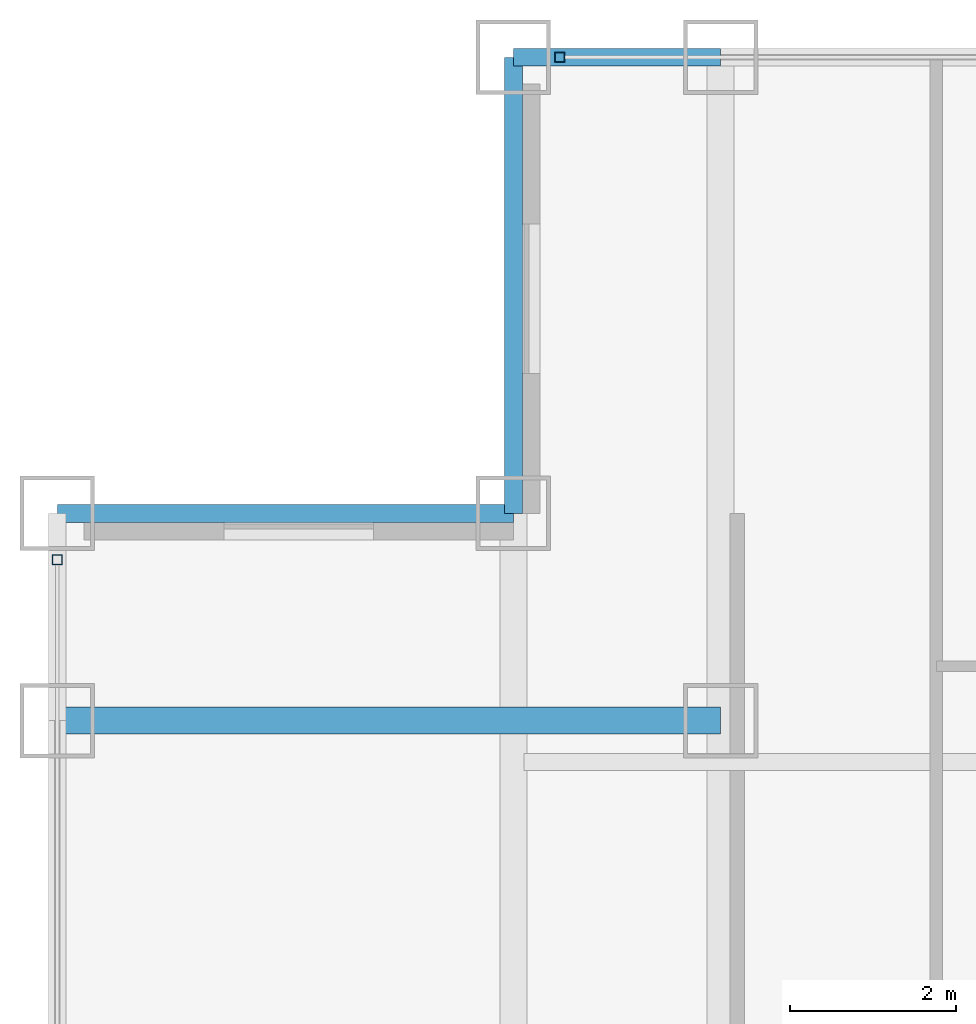
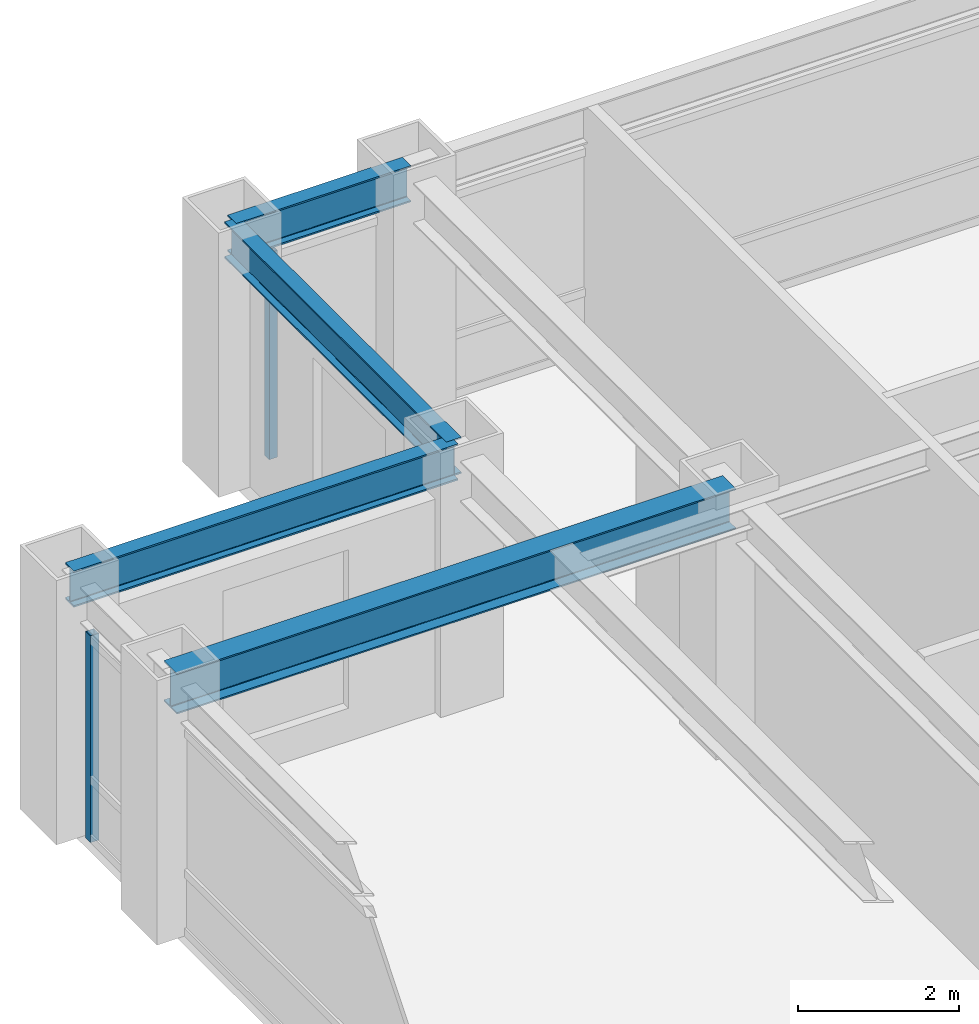
# One storey, part 12 of 22: 4 beams, 2 members, 2 elements without a shape of their own.
"""IFC4 building model written with IfcOpenShell, lengths in metres."""

from ifc_helpers import new_model, si_unit, direction, frame, origin, origin_2d, place, context, subcontext, project, spatial, hollow_rectangle, i_section, extrude, source, transform, mapped, material, material_profile, profile_set, type_object, element, aggregate, save


model = new_model("IFC4")

# Units and contexts
model_context = context("Model", 3, precision=1e-05, world=origin(), true_north=direction((0.0, 1.0)))
body_context = subcontext(model_context, "Body", "Model", "MODEL_VIEW")
ifc_project = project(units=[si_unit("LENGTHUNIT", "METRE"), si_unit("AREAUNIT", "SQUARE_METRE"), si_unit("VOLUMEUNIT", "CUBIC_METRE"), si_unit("PLANEANGLEUNIT", "RADIAN"), si_unit("MASSUNIT", "GRAM", prefix="KILO")], contexts=[model_context])

# Site, building, storey
site_placement = place(None, origin())
site = spatial("IfcSite", under=ifc_project, at=site_placement, CompositionType="ELEMENT")
building_placement = place(site_placement, origin())
building = spatial("IfcBuilding", under=site, at=building_placement, Name="Khorayat Bourse Tower", CompositionType="ELEMENT")
storey_placement = place(building_placement, frame((0.0, 0.0, 305.5)))
storey = spatial("IfcBuildingStorey", under=building, at=storey_placement, Name="L72", CompositionType="ELEMENT", Elevation=305.5)

# Beams
ifc_material_1 = material(Name="Steel ASTM A992 Grade 50", Category="steel")
ifc_material_profile_1 = material_profile(ifc_material_1, i_section(OverallWidth=0.324951171875, OverallDepth=0.615966796875, WebThickness=0.013916015625, FlangeThickness=0.021484375, FilletRadius=0.01611328125, at=origin_2d()), Name="W610X174")
ifc_profile_set_1 = profile_set([ifc_material_profile_1], Name="Steel ASTM A992 Grade 50")
beam_type_1 = type_object("IfcBeamType", Name="BM-GIRD-610", PredefinedType="BEAM", material=ifc_profile_set_1)
shared_shape_1 = source(origin(), body_context, "Body", "SweptSolid", [
    extrude(i_section(OverallWidth=0.324951171875, OverallDepth=0.615966796875, WebThickness=0.013916015625, FlangeThickness=0.021484375, FilletRadius=0.01611328125, at=origin_2d()), origin(), (0.0, 0.0, 1.0), 8.0),
])
beam_1_placement = place(storey_placement, frame((-28.0, 20.0, 3.471923828125), z_axis=(1.0, 0.0, 0.0), x_axis=(0.0, 1.0, 0.0)))
element("IfcBeam", 1, at=beam_1_placement, inside=storey, type_object=beam_type_1, Name="L72 BM-GIRD-610 BM-L72-CNRX-095", PredefinedType="BEAM", context=body_context, shape_type="MappedRepresentation", body=[
    mapped(shared_shape_1, transform((0.0, 0.0, 0.0), scale=1.0)),
])
ifc_material_profile_2 = material_profile(ifc_material_1, i_section(OverallWidth=0.214111328125, OverallDepth=0.549072265625, WebThickness=0.0146484375, FlangeThickness=0.023681640625, FilletRadius=0.013916015625, at=origin_2d()), Name="W530X138")
ifc_profile_set_2 = profile_set([ifc_material_profile_2], Name="Steel ASTM A992 Grade 50")
beam_type_2 = type_object("IfcBeamType", Name="BM-SPAN-530", PredefinedType="SPANDREL", material=ifc_profile_set_2)
shared_shape_2 = source(origin(), body_context, "Body", "SweptSolid", [
    extrude(i_section(OverallWidth=0.214111328125, OverallDepth=0.549072265625, WebThickness=0.0146484375, FlangeThickness=0.023681640625, FilletRadius=0.013916015625, at=origin_2d()), origin(), (0.0, 0.0, 1.0), 2.5),
])
beam_2_placement = place(storey_placement, frame((-22.5, 28.0, 3.505615234375), z_axis=(1.0, 0.0, 0.0), x_axis=(0.0, 1.0, 0.0)))
element("IfcBeam", 2, at=beam_2_placement, inside=storey, type_object=beam_type_2, Name="L72 BM-SPAN-530 BM-L72-SPN-051", PredefinedType="SPANDREL", context=body_context, shape_type="MappedRepresentation", body=[
    mapped(shared_shape_2, transform((0.0, 0.0, 0.0), scale=1.0)),
])
shared_shape_3 = source(origin(), body_context, "Body", "SweptSolid", [
    extrude(i_section(OverallWidth=0.214111328125, OverallDepth=0.549072265625, WebThickness=0.0146484375, FlangeThickness=0.023681640625, FilletRadius=0.013916015625, at=origin_2d()), origin(), (0.0, 0.0, 1.0), 5.5),
])
for number, where, z_axis, x_axis, name in (
    (3, (-22.5, 22.5, 3.505615234375), (0.0, 1.0, 0.0), (-1.0, 0.0, 0.0), "L72 BM-SPAN-530 BM-L72-SPN-052"),
    (4, (-28.0, 22.5, 3.505615234375), (1.0, 0.0, 0.0), (0.0, 1.0, 0.0), "L72 BM-SPAN-530 BM-L72-SPN-053"),
):
    element("IfcBeam", number, at=place(storey_placement, frame(where, z_axis=z_axis, x_axis=x_axis)), inside=storey, type_object=beam_type_2, Name=name, PredefinedType="SPANDREL", context=body_context, shape_type="MappedRepresentation", body=[
        mapped(shared_shape_3, transform((0.0, 0.0, 0.0), scale=1.0)),
    ])

# Curtain wall, member
ifc_material_2 = material(Name="Aluminium EN AW-6063 T6", Category="aluminium")
curtain_wall_type = type_object("IfcCurtainWallType", Name="CW-SYS-04", PredefinedType="NOTDEFINED", material=ifc_material_2)
curtain_wall_1_placement = place(storey_placement, origin())
curtain_wall_1 = element("IfcCurtainWall", 5, at=curtain_wall_1_placement, inside=storey, type_object=curtain_wall_type, Name="L72 Curtain Wall CW-L72-N1", PredefinedType="NOTDEFINED")
ifc_material_profile_3 = material_profile(ifc_material_2, hollow_rectangle(XDim=0.1201171875, YDim=0.1201171875, WallThickness=0.0048828125, at=origin_2d()), Name="ALU 120x120x5")
ifc_profile_set_3 = profile_set([ifc_material_profile_3], Name="Aluminium EN AW-6063 T6")
member_type = type_object("IfcMemberType", Name="CWM-VERT-120", PredefinedType="MULLION", material=ifc_profile_set_3)
shared_shape_4 = source(origin(), body_context, "Body", "SweptSolid", [
    extrude(hollow_rectangle(XDim=0.1201171875, YDim=0.1201171875, WallThickness=0.0048828125, at=origin_2d()), origin(), (0.0, 0.0, 1.0), 3.1298828125),
])
member_1_placement = place(storey_placement, frame((-21.93994140625, 28.0, 0.0), z_axis=(0.0, 0.0, 1.0), x_axis=(0.0, 1.0, 0.0)))
member_1 = element("IfcMember", 6, at=member_1_placement, type_object=member_type, Name="CW-L72-N1 Vertical Mullion 1", PredefinedType="MULLION", context=body_context, shape_type="MappedRepresentation", body=[
    mapped(shared_shape_4, transform((0.0, 0.0, 0.0), scale=1.0)),
])
aggregate(curtain_wall_1, [member_1])

curtain_wall_2_placement = place(storey_placement, origin())
curtain_wall_2 = element("IfcCurtainWall", 7, at=curtain_wall_2_placement, inside=storey, type_object=curtain_wall_type, Name="L72 Curtain Wall CW-L72-W1", PredefinedType="NOTDEFINED")
member_2_placement = place(storey_placement, frame((-28.0, 21.93994140625, 0.0), z_axis=(0.0, 0.0, 1.0), x_axis=(-1.0, 0.0, 0.0)))
member_2 = element("IfcMember", 8, at=member_2_placement, type_object=member_type, Name="CW-L72-W1 Vertical Mullion 3", PredefinedType="MULLION", context=body_context, shape_type="MappedRepresentation", body=[
    mapped(shared_shape_4, transform((0.0, 0.0, 0.0), scale=1.0)),
])
aggregate(curtain_wall_2, [member_2])

save(model, "model.ifc")
